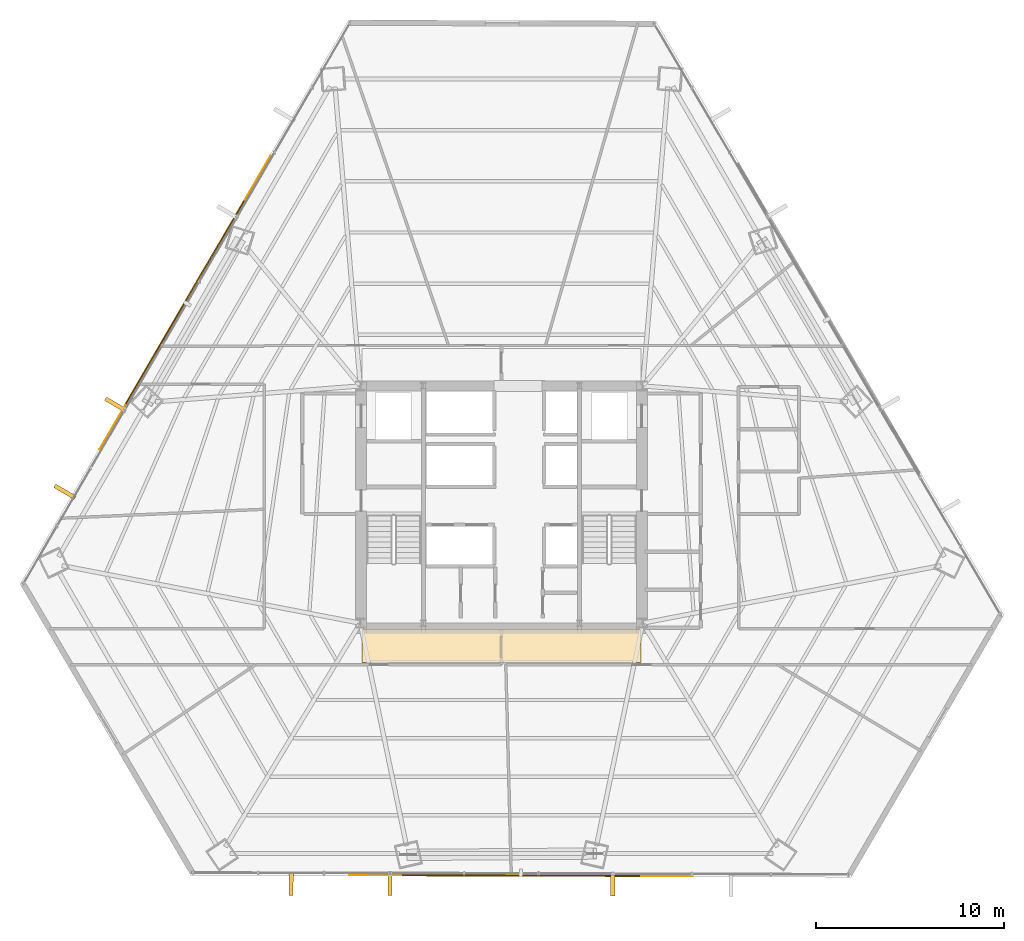
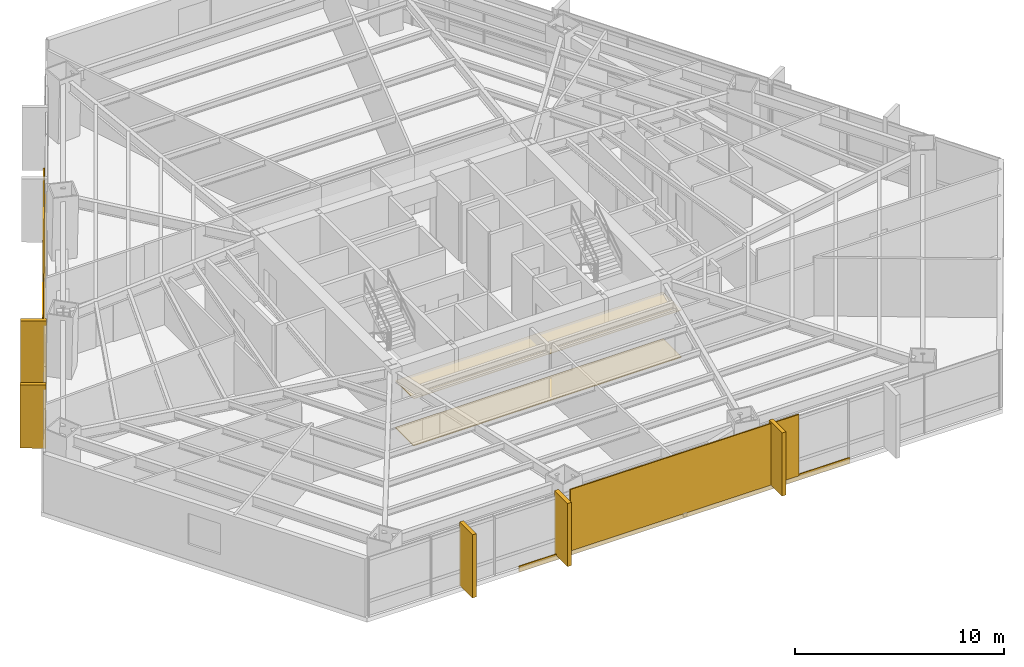
# One storey, part 31 of 33: 9 coverings, 2 shading devices.
"""IFC4 building model written with IfcOpenShell, lengths in metres."""

from ifc_helpers import new_model, si_unit, direction, frame, origin, origin_2d, place, context, subcontext, project, spatial, polyline, rectangle, outline, extrude, source, transform, mapped, material, layer, layer_set, type_object, type_shapes, element, save


model = new_model("IFC4")

# Units and contexts
model_context = context("Model", 3, precision=1e-05, world=origin(), true_north=direction((0.0, 1.0)))
body_context = subcontext(model_context, "Body", "Model", "MODEL_VIEW")
ifc_project = project(units=[si_unit("LENGTHUNIT", "METRE"), si_unit("AREAUNIT", "SQUARE_METRE"), si_unit("VOLUMEUNIT", "CUBIC_METRE"), si_unit("PLANEANGLEUNIT", "RADIAN"), si_unit("MASSUNIT", "GRAM", prefix="KILO")], contexts=[model_context])

# Site, building, storey
site_placement = place(None, origin())
site = spatial("IfcSite", under=ifc_project, at=site_placement, CompositionType="ELEMENT")
building_placement = place(site_placement, origin())
building = spatial("IfcBuilding", under=site, at=building_placement, Name="Caelisora Broadcast Tower", CompositionType="ELEMENT")
storey_placement = place(building_placement, frame((0.0, 0.0, 42.199951171875)))
storey = spatial("IfcBuildingStorey", under=building, at=storey_placement, Name="L10", CompositionType="ELEMENT", Elevation=42.199951171875)

# Coverings
ifc_material_1 = material(Name="Perforated Mineral-Fibre Acoustic Ceiling Tile", Category="gypsum")
ifc_layer_1 = layer(ifc_material_1, 0.034912109375, Name="Perforated Mineral-Fibre Acoustic Ceiling Tile")
ifc_layer_set_1 = layer_set([ifc_layer_1], Name="Perforated Mineral-Fibre Acoustic Ceiling Tile")
covering_type_1 = type_object("IfcCoveringType", Name="CE-1", PredefinedType="CEILING", material=ifc_layer_set_1)
covering_1_placement = place(storey_placement, frame((0.0, 0.0, 2.75)))
element("IfcCovering", 1, at=covering_1_placement, inside=storey, type_object=covering_type_1, Name="L10 acoustic corridor ceiling CE-1 (S)", PredefinedType="CEILING", context=body_context, shape_type="SweptSolid", body=[
    extrude(outline(polyline([(30.60009765625, 15.300048828125), (45.39990234375, 15.300048828125), (45.39990234375, 17.050048828125), (30.60009765625, 17.050048828125), (30.60009765625, 15.300048828125)])), origin(), (0.0, 0.0, 1.0), 0.03515625),
])
ifc_material_2 = material(Name="Anti-Static Broadcast Raised Access Floor Panel", Category="steel")
ifc_layer_2 = layer(ifc_material_2, 0.044921875, Name="Anti-Static Broadcast Raised Access Floor Panel")
ifc_layer_set_2 = layer_set([ifc_layer_2], Name="Anti-Static Broadcast Raised Access Floor Panel")
covering_type_2 = type_object("IfcCoveringType", Name="FL-1", PredefinedType="FLOORING", material=ifc_layer_set_2)
covering_2_placement = place(storey_placement, origin())
element("IfcCovering", 2, at=covering_2_placement, inside=storey, type_object=covering_type_2, Name="L10 broadcast raised access floor FL-1 (S)", PredefinedType="FLOORING", context=body_context, shape_type="SweptSolid", body=[
    extrude(outline(polyline([(30.60009765625, 15.300048828125), (45.39990234375, 15.300048828125), (45.39990234375, 17.050048828125), (30.60009765625, 17.050048828125), (30.60009765625, 15.300048828125)])), origin(), (0.0, 0.0, 1.0), 0.045166015625),
])
ifc_material_3 = material(Name="Kiln-Fired Terracotta Spandrel Rainscreen Cladding", Category="ceramic")
ifc_layer_3 = layer(ifc_material_3, 0.044921875, Name="Kiln-Fired Terracotta Spandrel Rainscreen Cladding")
ifc_layer_set_3 = layer_set([ifc_layer_3], Name="Kiln-Fired Terracotta Spandrel Rainscreen Cladding")
covering_type_3 = type_object("IfcCoveringType", Name="CL-1", PredefinedType="CLADDING", material=ifc_layer_set_3)
shared_shape_1 = source(origin(), body_context, "Body", "SweptSolid", [
    extrude(rectangle(XDim=0.219970703125, YDim=1.25, at=origin_2d()), origin(), (0.0, 0.0, 1.0), 3.68994140625),
])
for number, where, z_axis, x_axis, name in (
    (3, (43.913818359375, 3.52392578125, -0.02001953125), (0.0, 0.0, 1.0), (-0.9999961009, 0.002792523174, 0.0), "L10 vertical solar fin cladding #2-2"),
    (4, (32.07763671875, 3.556884765625, -0.02001953125), (0.0, 0.0, 1.0), (-0.9999961009, 0.002792523174, 0.0), "L10 vertical solar fin cladding #2-3"),
    (5, (26.82958984375, 3.5712890625, -0.02001953125), (0.0, 0.0, 1.0), (-0.9999961009, 0.002792523174, 0.0), "L10 vertical solar fin cladding #2-4"),
    (6, (14.80908203125, 24.381103515625, -0.02001953125), (0.0, 0.0, 1.0), (0.503321604797, 0.864099162217, 0.0), "L10 vertical solar fin cladding #3-1"),
    (7, (17.502685546875, 29.00634765625, -0.02001953125), (0.0, 0.0, 1.0), (0.503321604797, 0.864099162217, 0.0), "L10 vertical solar fin cladding #3-2"),
):
    element("IfcCovering", number, at=place(storey_placement, frame(where, z_axis=z_axis, x_axis=x_axis)), inside=storey, type_object=covering_type_3, Name=name, PredefinedType="CLADDING", context=body_context, shape_type="MappedRepresentation", body=[
        mapped(shared_shape_1, transform((0.0, 0.0, 0.0), scale=1.0)),
    ])

# Shading device
ifc_material_4 = material(Name="Perforated Glazed Terracotta Baguette Solar Screen", Category="ceramic")
ifc_layer_4 = layer(ifc_material_4, 0.06494140625, Name="Perforated Glazed Terracotta Baguette Solar Screen")
ifc_layer_set_4 = layer_set([ifc_layer_4], Name="Perforated Glazed Terracotta Baguette Solar Screen")
shading_device_type = type_object("IfcShadingDeviceType", Name="SS-1", PredefinedType="USERDEFINED", material=ifc_layer_set_4)
shared_shape_2 = source(origin(), body_context, "Body", "SweptSolid", [
    extrude(rectangle(XDim=12.48388671875, YDim=0.06494140625, at=origin_2d()), origin(), (0.0, 0.0, 1.0), 3.590087890625),
])
shading_device_1_placement = place(storey_placement, frame((21.18603515625, 34.436279296875, 0.0), z_axis=(0.0, 0.0, 1.0), x_axis=(-0.503321604797, -0.864099162217, 0.0)))
element("IfcShadingDevice", 8, at=shading_device_1_placement, inside=storey, type_object=shading_device_type, Name="L10 perforated terracotta solar screen #1", ObjectType="SOLAR SCREEN", PredefinedType="USERDEFINED", context=body_context, shape_type="MappedRepresentation", body=[
    mapped(shared_shape_2, transform((0.0, 0.0, 0.0), scale=1.0)),
])

# Covering
shared_shape_3 = source(origin(), body_context, "Body", "SweptSolid", [
    extrude(rectangle(XDim=18.031982421875, YDim=0.044921875, at=origin_2d()), origin(), (0.0, 0.0, 1.0), 0.340087890625),
])
covering_3_placement = place(storey_placement, frame((21.203369140625, 34.42626953125, -0.27001953125), z_axis=(0.0, 0.0, 1.0), x_axis=(-0.503321604797, -0.864099162217, 0.0)))
element("IfcCovering", 9, at=covering_3_placement, inside=storey, type_object=covering_type_3, Name="L10 terracotta spandrel rainscreen #1", PredefinedType="CLADDING", context=body_context, shape_type="MappedRepresentation", body=[
    mapped(shared_shape_3, transform((0.0, 0.0, 0.0), scale=1.0)),
])

# Shading device
shared_shape_4 = source(origin(), body_context, "Body", "SweptSolid", [
    extrude(rectangle(XDim=12.626953125, YDim=0.06494140625, at=origin_2d()), origin(), (0.0, 0.0, 1.0), 3.590087890625),
])
type_shapes(shading_device_type, [shared_shape_2, shared_shape_4])
shading_device_2_placement = place(storey_placement, frame((39.03466796875, 3.987548828125, 0.0), z_axis=(0.0, 0.0, 1.0), x_axis=(0.9999961009, -0.002792523174, 0.0)))
element("IfcShadingDevice", 10, at=shading_device_2_placement, inside=storey, type_object=shading_device_type, Name="L10 perforated terracotta solar screen #2", ObjectType="SOLAR SCREEN", PredefinedType="USERDEFINED", context=body_context, shape_type="MappedRepresentation", body=[
    mapped(shared_shape_4, transform((0.0, 0.0, 0.0), scale=1.0)),
])

# Covering
shared_shape_5 = source(origin(), body_context, "Body", "SweptSolid", [
    extrude(rectangle(XDim=18.239013671875, YDim=0.044921875, at=origin_2d()), origin(), (0.0, 0.0, 1.0), 0.340087890625),
])
type_shapes(covering_type_3, [shared_shape_1, shared_shape_3, shared_shape_5])
covering_4_placement = place(storey_placement, frame((39.03466796875, 4.007568359375, -0.27001953125), z_axis=(0.0, 0.0, 1.0), x_axis=(0.9999961009, -0.002792523174, 0.0)))
element("IfcCovering", 11, at=covering_4_placement, inside=storey, type_object=covering_type_3, Name="L10 terracotta spandrel rainscreen #2", PredefinedType="CLADDING", context=body_context, shape_type="MappedRepresentation", body=[
    mapped(shared_shape_5, transform((0.0, 0.0, 0.0), scale=1.0)),
])

save(model, "model.ifc")
